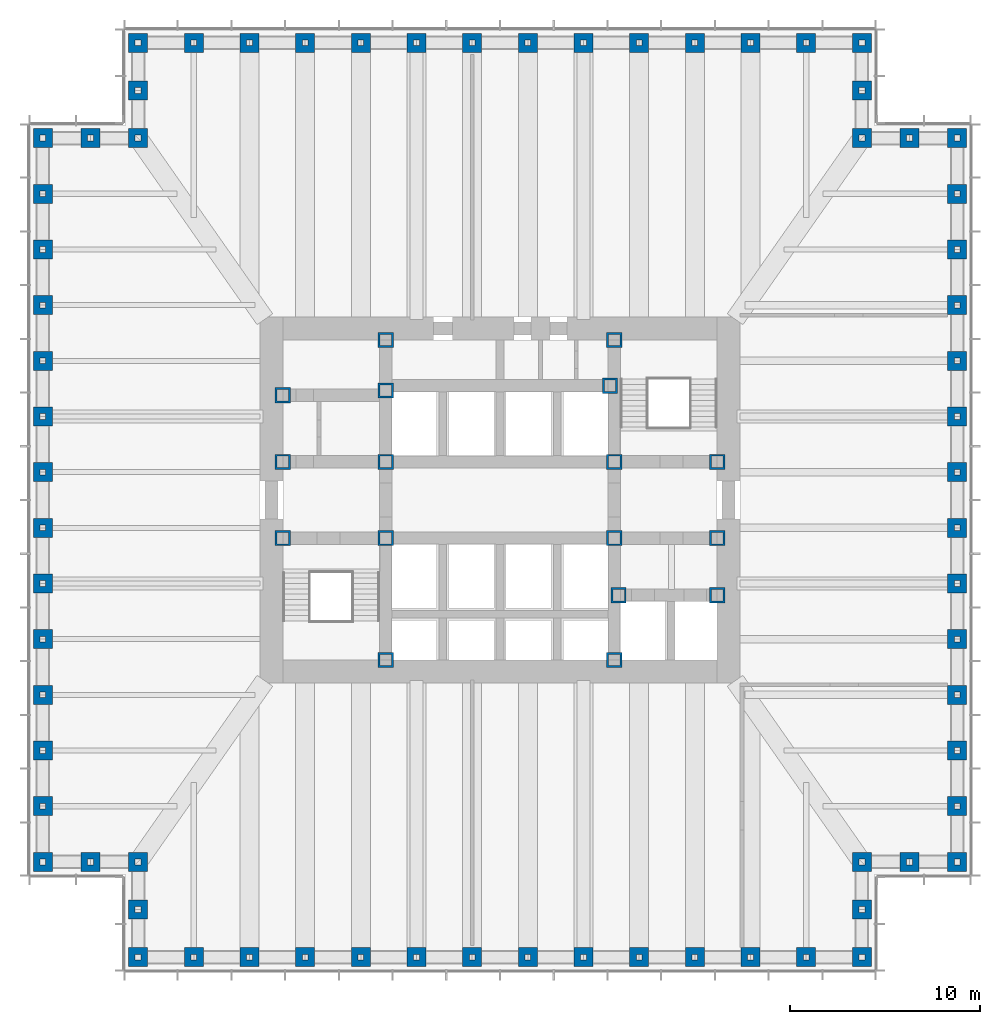
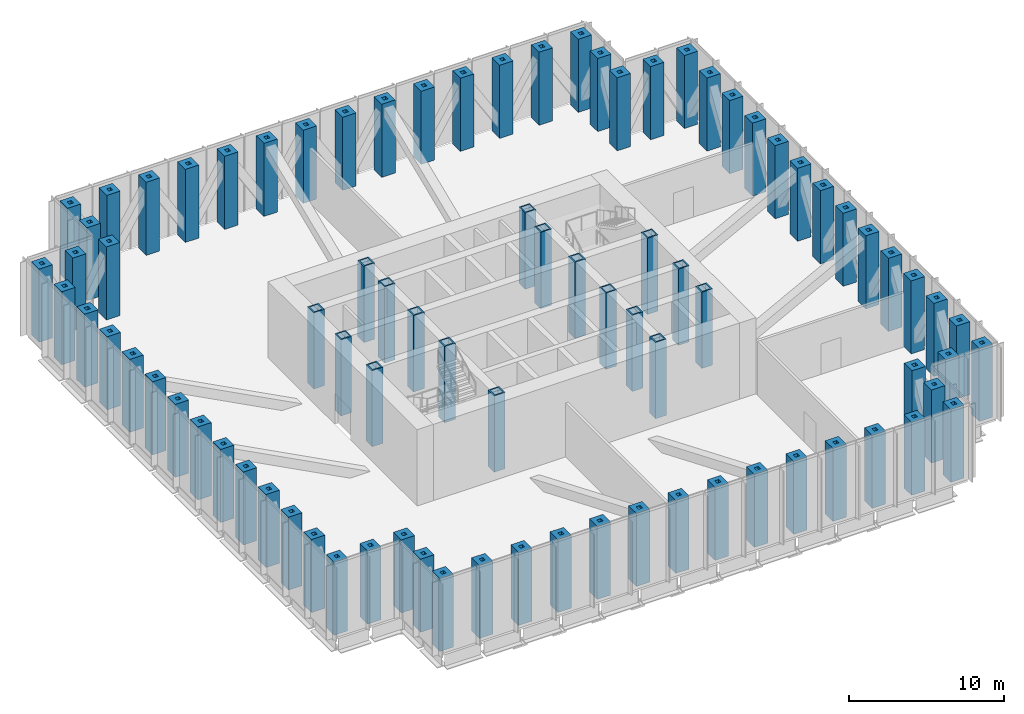
# One storey, part 1 of 15: 85 columns.
"""IFC4 building model written with IfcOpenShell, lengths in metres."""

import ifcopenshell
import ifcopenshell.guid

model = None  # the IFC model being written
_history = None  # IfcOwnerHistory: only IFC2X3 demands one
_inside = {}  # id of a spatial element -> (the spatial element, [elements in it])
_under = {}  # id of a project, library or spatial element -> (it, [spatial elements below it])
_declared = {}  # id of a project -> (the project, [libraries it declares])
_typed = {}  # id of a type object -> (the type object, [elements of that type])
_made_of = {}  # id of a material, layer set ... -> (it, [elements and type objects made of it])


def new_model(schema):
    """Start an empty IFC model of exactly this schema.

    Asked for "IFC4X3", IfcOpenShell would pick the latest addendum, in which some entities
    have other attributes; the version numbers below select the first issue.
    IFC2X3 requires an IfcOwnerHistory on every rooted entity: one is made here for all.
    """
    global model, _history
    if schema == "IFC4X3":
        model = ifcopenshell.file(schema_version=(4, 3, 0, 0))
    else:
        model = ifcopenshell.file(schema=schema)
    _inside.clear()
    _under.clear()
    _declared.clear()
    _typed.clear()
    _made_of.clear()
    _history = None
    if model.schema == "IFC2X3":
        org = make("IfcOrganization", Name="unknown")
        user = make(
            "IfcPersonAndOrganization",
            ThePerson=make("IfcPerson", FamilyName="unknown"),
            TheOrganization=org,
        )
        app = make(
            "IfcApplication",
            ApplicationDeveloper=org,
            Version="unknown",
            ApplicationFullName="unknown",
            ApplicationIdentifier="unknown",
        )
        _history = make(
            "IfcOwnerHistory",
            OwningUser=user,
            OwningApplication=app,
            ChangeAction="ADDED",
            CreationDate=0,
        )
    return model


def make(cls, **values):
    """One entity of the class cls with the attributes given. An attribute that is None is left unset."""
    return model.create_entity(
        cls, **{name: value for name, value in values.items() if value is not None}
    )


def rooted(cls, **values):
    """An entity with a GlobalId (a new one), such as an element, a storey or a relation."""
    return make(cls, GlobalId=ifcopenshell.guid.new(), OwnerHistory=_history, **values)


def si_unit(unit_type, name, prefix=None):
    """IfcSIUnit, for example si_unit("LENGTHUNIT", "METRE", prefix="MILLI")."""
    return make("IfcSIUnit", UnitType=unit_type, Prefix=prefix, Name=name)


def assignment(units):
    """IfcUnitAssignment: the units of a project."""
    return None if units is None else make("IfcUnitAssignment", Units=units)


def point(xyz):
    """IfcCartesianPoint."""
    return None if xyz is None else make("IfcCartesianPoint", Coordinates=xyz)


def direction(xyz):
    """IfcDirection."""
    return None if xyz is None else make("IfcDirection", DirectionRatios=xyz)


def frame(location, z_axis=None, x_axis=None):
    """IfcAxis2Placement3D, a coordinate frame: its origin and axes. An axis left out is left unset."""
    return make(
        "IfcAxis2Placement3D",
        Location=point(location),
        Axis=direction(z_axis),
        RefDirection=direction(x_axis),
    )


def frame_2d(location, x_axis=None):
    """IfcAxis2Placement2D, a coordinate frame in the plane: its origin and x axis."""
    return make(
        "IfcAxis2Placement2D", Location=point(location), RefDirection=direction(x_axis)
    )


def origin():
    """The frame at (0, 0, 0) with its axes left unset."""
    return frame((0.0, 0.0, 0.0))


def origin_2d():
    """The frame at (0, 0) in the plane with its x axis left unset."""
    return frame_2d((0.0, 0.0))


def place(relative_to, where):
    """IfcLocalPlacement: puts the frame where relative to a parent placement (None: the world)."""
    return make(
        "IfcLocalPlacement", PlacementRelTo=relative_to, RelativePlacement=where
    )


def context(
    kind, dimensions, precision=None, world=None, true_north=None, identifier=None
):
    """IfcGeometricRepresentationContext, for example the 3D "Model" context."""
    return make(
        "IfcGeometricRepresentationContext",
        ContextIdentifier=identifier,
        ContextType=kind,
        CoordinateSpaceDimension=dimensions,
        Precision=precision,
        WorldCoordinateSystem=world,
        TrueNorth=true_north,
    )


def subcontext(parent, identifier, kind, view, scale=None):
    """IfcGeometricRepresentationSubContext, for example "Body" below "Model"."""
    return make(
        "IfcGeometricRepresentationSubContext",
        ContextIdentifier=identifier,
        ContextType=kind,
        ParentContext=parent,
        TargetScale=scale,
        TargetView=view,
    )


def project(units=None, contexts=None):
    """IfcProject with its units and contexts."""
    return rooted(
        "IfcProject",
        Name="project",
        RepresentationContexts=contexts,
        UnitsInContext=assignment(units),
    )


def spatial(cls, under=None, at=None, **own):
    """A site, building, storey or space (cls), placed at a placement, below another one or the project."""
    s = rooted(cls, ObjectPlacement=at, **own)
    if under is not None:
        _under.setdefault(under.id(), (under, []))[1].append(s)
    return s


def profile(cls, at=None, kind="AREA", **sizes):
    """A parametric profile (cls). Its sizes go by their IFC names, for example OverallWidth=200.0."""
    return make(cls, ProfileType=kind, Position=at, **sizes)


def hollow_rectangle(**sizes):
    """IfcRectangleHollowProfileDef."""
    return profile("IfcRectangleHollowProfileDef", **sizes)


def extrude(swept, where, along, depth):
    """IfcExtrudedAreaSolid: the profile swept, set in the frame where, extruded along a direction by depth."""
    return make(
        "IfcExtrudedAreaSolid",
        SweptArea=swept,
        Position=where,
        ExtrudedDirection=direction(along),
        Depth=depth,
    )


def shape(context_of_items, identifier, shape_type, items):
    """IfcShapeRepresentation: the items that make up one representation, for example the "Body"."""
    return make(
        "IfcShapeRepresentation",
        ContextOfItems=context_of_items,
        RepresentationIdentifier=identifier,
        RepresentationType=shape_type,
        Items=items,
    )


def material(Name=None, Category=None):
    """IfcMaterial."""
    return make("IfcMaterial", Name=Name, Category=Category)


def material_profile(
    of_material, cross_section, Name=None, Category=None, Priority=None
):
    """IfcMaterialProfile: a cross section and its material."""
    return make(
        "IfcMaterialProfile",
        Name=Name,
        Material=of_material,
        Profile=cross_section,
        Priority=Priority,
        Category=Category,
    )


def profile_set(profiles, Name=None, composite=None):
    """IfcMaterialProfileSet."""
    return make(
        "IfcMaterialProfileSet",
        Name=Name,
        MaterialProfiles=profiles,
        CompositeProfile=composite,
    )


def made_of(thing, what):
    """Note that an element or type object is made of a material, layer set ...; save() writes the relation."""
    if what is not None:
        _made_of.setdefault(what.id(), (what, []))[1].append(thing)
    return thing


def type_object(cls, material=None, **own):
    """A type object (cls), such as IfcWallType, which elements share."""
    return made_of(rooted(cls, **own), material)


def element(
    cls,
    number,
    at=None,
    inside=None,
    cuts=None,
    type_object=None,
    material=None,
    context=None,
    identifier="Body",
    shape_type=None,
    held_by="IfcProductDefinitionShape",
    body=None,
    shapes=None,
    **own,
):
    """One element of the class cls, such as IfcWall. Its Tag is "e" and its number.

    at: its placement. inside: the storey or other place that contains it. cuts: it is an
    opening in that element (IfcRelVoidsElement). A single representation is given by context,
    identifier, shape_type and body (its items); several are given by shapes. held_by: the class
    of the entity that holds the representations. save() writes the other relations.
    """
    e = rooted(cls, Tag="e%d" % number, ObjectPlacement=at, **own)
    if body is not None:
        shapes = [shape(context, identifier, shape_type, body)]
    if shapes is not None:
        e.Representation = make(held_by, Representations=shapes)
    if inside is not None:
        _inside.setdefault(inside.id(), (inside, []))[1].append(e)
    if cuts is not None:
        rooted(
            "IfcRelVoidsElement", RelatingBuildingElement=cuts, RelatedOpeningElement=e
        )
    if type_object is not None:
        _typed.setdefault(type_object.id(), (type_object, []))[1].append(e)
    return made_of(e, material)


def aggregate(whole, parts):
    """IfcRelAggregates: a whole, such as a stair, and the parts it consists of."""
    return rooted("IfcRelAggregates", RelatingObject=whole, RelatedObjects=parts)


def save(model, path):
    """Write the relations noted so far, then the file.

    IfcRelAggregates (storeys below a building ...), IfcRelContainedInSpatialStructure (elements
    in a storey), IfcRelDefinesByType, IfcRelAssociatesMaterial and IfcRelDeclares: one each for
    every whole, place, type object, material and project.
    """
    for whole, parts in _under.values():
        aggregate(whole, parts)
    for where, things in _inside.values():
        rooted(
            "IfcRelContainedInSpatialStructure",
            RelatedElements=things,
            RelatingStructure=where,
        )
    for kind, things in _typed.values():
        rooted("IfcRelDefinesByType", RelatedObjects=things, RelatingType=kind)
    for what, things in _made_of.values():
        rooted("IfcRelAssociatesMaterial", RelatedObjects=things, RelatingMaterial=what)
    for by, libraries in _declared.values():
        rooted("IfcRelDeclares", RelatingContext=by, RelatedDefinitions=libraries)
    model.write(path)


model = new_model("IFC4")

# Units and contexts
model_context = context("Model", 3, precision=1e-05, world=origin(), true_north=direction((0.0, 1.0)))
body_context = subcontext(model_context, "Body", "Model", "MODEL_VIEW")
ifc_project = project(units=[si_unit("LENGTHUNIT", "METRE"), si_unit("AREAUNIT", "SQUARE_METRE"), si_unit("VOLUMEUNIT", "CUBIC_METRE"), si_unit("PLANEANGLEUNIT", "RADIAN"), si_unit("MASSUNIT", "GRAM", prefix="KILO")], contexts=[model_context])

# Site, building, storey
site_placement = place(None, origin())
site = spatial("IfcSite", under=ifc_project, at=site_placement, CompositionType="ELEMENT")
building_placement = place(site_placement, origin())
building = spatial("IfcBuilding", under=site, at=building_placement, Name="Daluyong Arena Tower", CompositionType="ELEMENT")
storey_placement = place(building_placement, frame((0.0, 0.0, 102.10009765625)))
storey = spatial("IfcBuildingStorey", under=building, at=storey_placement, Name="L22", CompositionType="ELEMENT", Elevation=102.10009765625)

# Columns
ifc_material_1 = material(Name="Steel ASTM A572 Grade 50", Category="steel")
ifc_material_profile_1 = material_profile(ifc_material_1, hollow_rectangle(XDim=0.800048828125, YDim=0.800048828125, WallThickness=0.1, at=origin_2d()))
ifc_profile_set_1 = profile_set([ifc_material_profile_1], Name="Steel ASTM A572 Grade 50")
column_type_1 = type_object("IfcColumnType", Name="Core boundary column BX800X100", PredefinedType="COLUMN", material=ifc_profile_set_1)
for number, where, z_axis, x_axis, name in (
    (1, (44.60009765625, 78.0, 0.0), (0.0, 0.0, 1.0), (1.0, 0.0, 0.0), "core boundary column BC2"),
    (2, (44.60009765625, 82.0, 0.0), (0.0, 0.0, 1.0), (1.0, 0.0, 0.0), "core boundary column BC2"),
    (3, (44.60009765625, 85.5, 0.0), (0.0, 0.0, 1.0), (1.0, 0.0, 0.0), "core boundary column BC2"),
    (4, (50.0, 71.60009765625, 0.0), (0.0, 0.0, 1.0), (1.0, 0.0, 0.0), "core boundary column BC2"),
    (5, (50.0, 78.0, 0.0), (0.0, 0.0, 1.0), (1.0, 0.0, 0.0), "core boundary column BC2"),
    (6, (50.0, 82.0, 0.0), (0.0, 0.0, 1.0), (1.0, 0.0, 0.0), "core boundary column BC2"),
    (7, (50.0, 85.75, 0.0), (0.0, 0.0, 1.0), (1.0, 0.0, 0.0), "core boundary column BC2"),
    (8, (50.0, 88.39990234375, 0.0), (0.0, 0.0, 1.0), (1.0, 0.0, 0.0), "core boundary column BC2"),
    (9, (61.77490234375, 86.0, 0.0), (0.0, 0.0, 1.0), (1.0, 0.0, 0.0), "core boundary column BC2"),
    (10, (62.0, 71.60009765625, 0.0), (0.0, 0.0, 1.0), (1.0, 0.0, 0.0), "core boundary column BC2"),
    (11, (62.0, 78.0, 0.0), (0.0, 0.0, 1.0), (1.0, 0.0, 0.0), "core boundary column BC2"),
    (12, (62.0, 82.0, 0.0), (0.0, 0.0, 1.0), (1.0, 0.0, 0.0), "core boundary column BC2"),
    (13, (62.0, 88.39990234375, 0.0), (0.0, 0.0, 1.0), (1.0, 0.0, 0.0), "core boundary column BC2"),
    (14, (62.22509765625, 75.0, 0.0), (0.0, 0.0, 1.0), (1.0, 0.0, 0.0), "core boundary column BC2"),
    (15, (67.39990234375, 75.0, 0.0), (0.0, 0.0, 1.0), (1.0, 0.0, 0.0), "core boundary column BC2"),
    (16, (67.39990234375, 78.0, 0.0), (0.0, 0.0, 1.0), (1.0, 0.0, 0.0), "core boundary column BC2"),
    (17, (67.39990234375, 82.0, 0.0), (0.0, 0.0, 1.0), (1.0, 0.0, 0.0), "core boundary column BC2"),
):
    element("IfcColumn", number, at=place(storey_placement, frame(where, z_axis=z_axis, x_axis=x_axis)), inside=storey, type_object=column_type_1, Name=name, PredefinedType="COLUMN", context=body_context, shape_type="SweptSolid", body=[
        extrude(hollow_rectangle(XDim=0.800048828125, YDim=0.800048828125, WallThickness=0.1, at=origin_2d()), origin(), (0.0, 0.0, 1.0), 6.0),
    ])
ifc_material_2 = material(Name="Steel ASTM A36", Category="steel")
ifc_material_profile_2 = material_profile(ifc_material_2, hollow_rectangle(XDim=1.0, YDim=1.0, WallThickness=0.35, at=origin_2d()))
ifc_profile_set_2 = profile_set([ifc_material_profile_2], Name="Steel ASTM A36")
column_type_2 = type_object("IfcColumnType", Name="Tube column BX1000X350 BX1000X350", PredefinedType="COLUMN", material=ifc_profile_set_2)
for number, where, z_axis, x_axis, name in (
    (18, (37.0, 56.0, 0.0), (0.0, 0.0, 1.0), (1.0, 0.0, 0.0), "tube column bx1000x350 TC3"),
    (19, (39.923095703125, 56.0, 0.0), (0.0, 0.0, 1.0), (1.0, 0.0, 0.0), "tube column bx1000x350 TC3"),
    (20, (42.84619140625, 56.0, 0.0), (0.0, 0.0, 1.0), (1.0, 0.0, 0.0), "tube column bx1000x350 TC3"),
    (21, (45.769287109375, 56.0, 0.0), (0.0, 0.0, 1.0), (1.0, 0.0, 0.0), "tube column bx1000x350 TC3"),
    (22, (48.6923828125, 56.0, 0.0), (0.0, 0.0, 1.0), (1.0, 0.0, 0.0), "tube column bx1000x350 TC3"),
    (23, (51.615478515625, 56.0, 0.0), (0.0, 0.0, 1.0), (1.0, 0.0, 0.0), "tube column bx1000x350 TC3"),
    (24, (54.53857421875, 56.0, 0.0), (0.0, 0.0, 1.0), (1.0, 0.0, 0.0), "tube column bx1000x350 TC3"),
    (25, (57.46142578125, 56.0, 0.0), (0.0, 0.0, 1.0), (1.0, 0.0, 0.0), "tube column bx1000x350 TC3"),
    (26, (60.384521484375, 56.0, 0.0), (0.0, 0.0, 1.0), (1.0, 0.0, 0.0), "tube column bx1000x350 TC3"),
    (27, (63.3076171875, 56.0, 0.0), (0.0, 0.0, 1.0), (1.0, 0.0, 0.0), "tube column bx1000x350 TC3"),
    (28, (66.230712890625, 56.0, 0.0), (0.0, 0.0, 1.0), (1.0, 0.0, 0.0), "tube column bx1000x350 TC3"),
    (29, (69.15380859375, 56.0, 0.0), (0.0, 0.0, 1.0), (1.0, 0.0, 0.0), "tube column bx1000x350 TC3"),
    (30, (72.076904296875, 56.0, 0.0), (0.0, 0.0, 1.0), (1.0, 0.0, 0.0), "tube column bx1000x350 TC3"),
    (31, (75.0, 56.0, 0.0), (0.0, 0.0, 1.0), (0.0, 1.0, 0.0), "tube column bx1000x350 TC3"),
    (32, (75.0, 58.5, 0.0), (0.0, 0.0, 1.0), (0.0, 1.0, 0.0), "tube column bx1000x350 TC3"),
    (33, (75.0, 61.0, 0.0), (0.0, 0.0, 1.0), (1.0, 0.0, 0.0), "tube column bx1000x350 TC3"),
    (34, (77.5, 61.0, 0.0), (0.0, 0.0, 1.0), (1.0, 0.0, 0.0), "tube column bx1000x350 TC3"),
    (35, (80.0, 61.0, 0.0), (0.0, 0.0, 1.0), (0.0, 1.0, 0.0), "tube column bx1000x350 TC3"),
    (36, (80.0, 63.923095703125, 0.0), (0.0, 0.0, 1.0), (0.0, 1.0, 0.0), "tube column bx1000x350 TC3"),
    (37, (80.0, 66.84619140625, 0.0), (0.0, 0.0, 1.0), (0.0, 1.0, 0.0), "tube column bx1000x350 TC3"),
    (38, (80.0, 69.769287109375, 0.0), (0.0, 0.0, 1.0), (0.0, 1.0, 0.0), "tube column bx1000x350 TC3"),
    (39, (80.0, 72.6923828125, 0.0), (0.0, 0.0, 1.0), (0.0, 1.0, 0.0), "tube column bx1000x350 TC3"),
    (40, (80.0, 75.615478515625, 0.0), (0.0, 0.0, 1.0), (0.0, 1.0, 0.0), "tube column bx1000x350 TC3"),
    (41, (80.0, 78.53857421875, 0.0), (0.0, 0.0, 1.0), (0.0, 1.0, 0.0), "tube column bx1000x350 TC3"),
    (42, (80.0, 81.46142578125, 0.0), (0.0, 0.0, 1.0), (0.0, 1.0, 0.0), "tube column bx1000x350 TC3"),
    (43, (80.0, 84.384521484375, 0.0), (0.0, 0.0, 1.0), (0.0, 1.0, 0.0), "tube column bx1000x350 TC3"),
    (44, (80.0, 87.3076171875, 0.0), (0.0, 0.0, 1.0), (0.0, 1.0, 0.0), "tube column bx1000x350 TC3"),
    (45, (80.0, 90.230712890625, 0.0), (0.0, 0.0, 1.0), (0.0, 1.0, 0.0), "tube column bx1000x350 TC3"),
    (46, (80.0, 93.15380859375, 0.0), (0.0, 0.0, 1.0), (0.0, 1.0, 0.0), "tube column bx1000x350 TC3"),
    (47, (80.0, 96.076904296875, 0.0), (0.0, 0.0, 1.0), (0.0, 1.0, 0.0), "tube column bx1000x350 TC3"),
    (48, (80.0, 99.0, 0.0), (0.0, 0.0, 1.0), (1.0, 0.0, 0.0), "tube column bx1000x350 TC3"),
    (49, (77.5, 99.0, 0.0), (0.0, 0.0, 1.0), (1.0, 0.0, 0.0), "tube column bx1000x350 TC3"),
    (50, (75.0, 99.0, 0.0), (0.0, 0.0, 1.0), (0.0, 1.0, 0.0), "tube column bx1000x350 TC3"),
    (51, (75.0, 101.5, 0.0), (0.0, 0.0, 1.0), (0.0, 1.0, 0.0), "tube column bx1000x350 TC3"),
    (52, (75.0, 104.0, 0.0), (0.0, 0.0, 1.0), (1.0, 0.0, 0.0), "tube column bx1000x350 TC3"),
    (53, (72.076904296875, 104.0, 0.0), (0.0, 0.0, 1.0), (1.0, 0.0, 0.0), "tube column bx1000x350 TC3"),
    (54, (69.15380859375, 104.0, 0.0), (0.0, 0.0, 1.0), (1.0, 0.0, 0.0), "tube column bx1000x350 TC3"),
    (55, (66.230712890625, 104.0, 0.0), (0.0, 0.0, 1.0), (1.0, 0.0, 0.0), "tube column bx1000x350 TC3"),
    (56, (63.3076171875, 104.0, 0.0), (0.0, 0.0, 1.0), (1.0, 0.0, 0.0), "tube column bx1000x350 TC3"),
    (57, (60.384521484375, 104.0, 0.0), (0.0, 0.0, 1.0), (1.0, 0.0, 0.0), "tube column bx1000x350 TC3"),
    (58, (57.46142578125, 104.0, 0.0), (0.0, 0.0, 1.0), (1.0, 0.0, 0.0), "tube column bx1000x350 TC3"),
    (59, (54.53857421875, 104.0, 0.0), (0.0, 0.0, 1.0), (1.0, 0.0, 0.0), "tube column bx1000x350 TC3"),
    (60, (51.615478515625, 104.0, 0.0), (0.0, 0.0, 1.0), (1.0, 0.0, 0.0), "tube column bx1000x350 TC3"),
    (61, (48.6923828125, 104.0, 0.0), (0.0, 0.0, 1.0), (1.0, 0.0, 0.0), "tube column bx1000x350 TC3"),
    (62, (45.769287109375, 104.0, 0.0), (0.0, 0.0, 1.0), (1.0, 0.0, 0.0), "tube column bx1000x350 TC3"),
    (63, (42.84619140625, 104.0, 0.0), (0.0, 0.0, 1.0), (1.0, 0.0, 0.0), "tube column bx1000x350 TC3"),
    (64, (39.923095703125, 104.0, 0.0), (0.0, 0.0, 1.0), (1.0, 0.0, 0.0), "tube column bx1000x350 TC3"),
    (65, (37.0, 104.0, 0.0), (0.0, 0.0, 1.0), (0.0, 1.0, 0.0), "tube column bx1000x350 TC3"),
    (66, (37.0, 101.5, 0.0), (0.0, 0.0, 1.0), (0.0, 1.0, 0.0), "tube column bx1000x350 TC3"),
    (67, (37.0, 99.0, 0.0), (0.0, 0.0, 1.0), (1.0, 0.0, 0.0), "tube column bx1000x350 TC3"),
    (68, (34.5, 99.0, 0.0), (0.0, 0.0, 1.0), (1.0, 0.0, 0.0), "tube column bx1000x350 TC3"),
    (69, (32.0, 99.0, 0.0), (0.0, 0.0, 1.0), (0.0, 1.0, 0.0), "tube column bx1000x350 TC3"),
    (70, (32.0, 96.076904296875, 0.0), (0.0, 0.0, 1.0), (0.0, 1.0, 0.0), "tube column bx1000x350 TC3"),
    (71, (32.0, 93.15380859375, 0.0), (0.0, 0.0, 1.0), (0.0, 1.0, 0.0), "tube column bx1000x350 TC3"),
    (72, (32.0, 90.230712890625, 0.0), (0.0, 0.0, 1.0), (0.0, 1.0, 0.0), "tube column bx1000x350 TC3"),
    (73, (32.0, 87.3076171875, 0.0), (0.0, 0.0, 1.0), (0.0, 1.0, 0.0), "tube column bx1000x350 TC3"),
    (74, (32.0, 84.384521484375, 0.0), (0.0, 0.0, 1.0), (0.0, 1.0, 0.0), "tube column bx1000x350 TC3"),
    (75, (32.0, 81.46142578125, 0.0), (0.0, 0.0, 1.0), (0.0, 1.0, 0.0), "tube column bx1000x350 TC3"),
    (76, (32.0, 78.53857421875, 0.0), (0.0, 0.0, 1.0), (0.0, 1.0, 0.0), "tube column bx1000x350 TC3"),
    (77, (32.0, 75.615478515625, 0.0), (0.0, 0.0, 1.0), (0.0, 1.0, 0.0), "tube column bx1000x350 TC3"),
    (78, (32.0, 72.6923828125, 0.0), (0.0, 0.0, 1.0), (0.0, 1.0, 0.0), "tube column bx1000x350 TC3"),
    (79, (32.0, 69.769287109375, 0.0), (0.0, 0.0, 1.0), (0.0, 1.0, 0.0), "tube column bx1000x350 TC3"),
    (80, (32.0, 66.84619140625, 0.0), (0.0, 0.0, 1.0), (0.0, 1.0, 0.0), "tube column bx1000x350 TC3"),
    (81, (32.0, 63.923095703125, 0.0), (0.0, 0.0, 1.0), (0.0, 1.0, 0.0), "tube column bx1000x350 TC3"),
    (82, (32.0, 61.0, 0.0), (0.0, 0.0, 1.0), (1.0, 0.0, 0.0), "tube column bx1000x350 TC3"),
    (83, (34.5, 61.0, 0.0), (0.0, 0.0, 1.0), (1.0, 0.0, 0.0), "tube column bx1000x350 TC3"),
    (84, (37.0, 61.0, 0.0), (0.0, 0.0, 1.0), (0.0, 1.0, 0.0), "tube column bx1000x350 TC3"),
    (85, (37.0, 58.5, 0.0), (0.0, 0.0, 1.0), (0.0, 1.0, 0.0), "tube column bx1000x350 TC3"),
):
    element("IfcColumn", number, at=place(storey_placement, frame(where, z_axis=z_axis, x_axis=x_axis)), inside=storey, type_object=column_type_2, Name=name, PredefinedType="COLUMN", context=body_context, shape_type="SweptSolid", body=[
        extrude(hollow_rectangle(XDim=1.0, YDim=1.0, WallThickness=0.35, at=origin_2d()), origin(), (0.0, 0.0, 1.0), 5.75),
    ])

save(model, "model.ifc")
